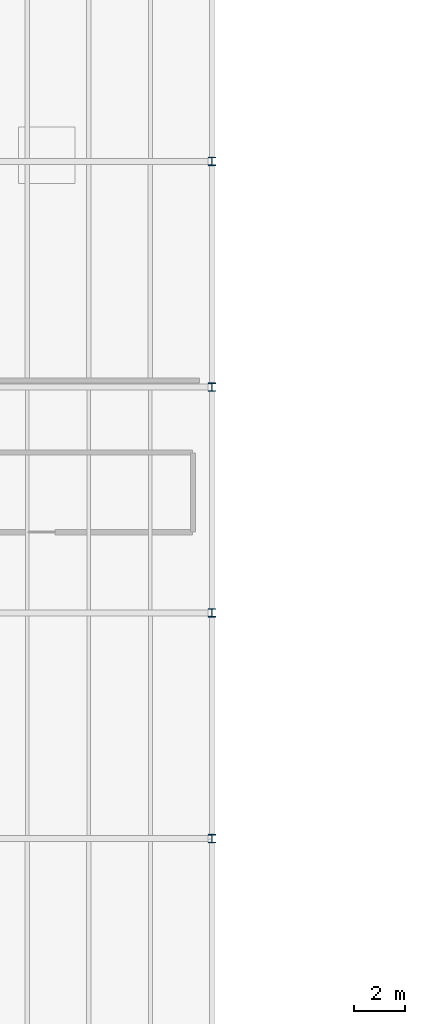
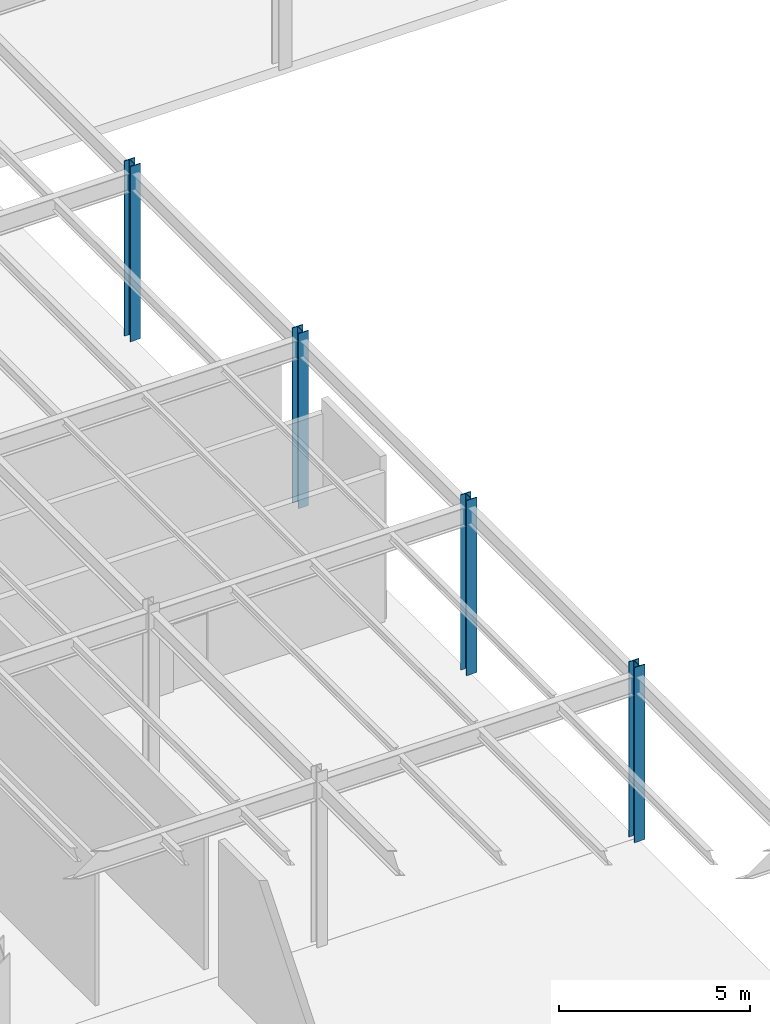
# One storey, part 4 of 70: 4 columns.
"""IFC4 building model written with IfcOpenShell, lengths in metres."""

from ifc_helpers import new_model, si_unit, direction, frame, origin, origin_2d, place, context, subcontext, project, spatial, i_section, extrude, material, material_profile, profile_set, type_object, element, save


model = new_model("IFC4")

# Units and contexts
model_context = context("Model", 3, precision=1e-05, world=origin(), true_north=direction((0.0, 1.0)))
body_context = subcontext(model_context, "Body", "Model", "MODEL_VIEW")
ifc_project = project(units=[si_unit("LENGTHUNIT", "METRE"), si_unit("AREAUNIT", "SQUARE_METRE"), si_unit("VOLUMEUNIT", "CUBIC_METRE"), si_unit("PLANEANGLEUNIT", "RADIAN"), si_unit("MASSUNIT", "GRAM", prefix="KILO")], contexts=[model_context])

# Site, building, storey
site_placement = place(None, origin())
site = spatial("IfcSite", under=ifc_project, at=site_placement, CompositionType="ELEMENT")
building_placement = place(site_placement, origin())
building = spatial("IfcBuilding", under=site, at=building_placement, Name="Sarnbrook Museum", CompositionType="ELEMENT")
storey_placement = place(building_placement, origin())
storey = spatial("IfcBuildingStorey", under=building, at=storey_placement, Name="L00", CompositionType="ELEMENT", Elevation=0.0)

# Columns
ifc_material = material(Name="Structural Steel Grade 300PLUS (AS/NZS 3679.1, fy = 280 MPa for 17 < t <= 40 mm, 300 MPa for t <= 17 mm)", Category="steel")
ifc_material_profile = material_profile(ifc_material, i_section(OverallWidth=0.31103515625, OverallDepth=0.326904296875, WebThickness=0.015625, FlangeThickness=0.02490234375, FilletRadius=0.0166015625, at=origin_2d()), Name="310UC158")
ifc_profile_set = profile_set([ifc_material_profile], Name="Structural Steel Grade 300PLUS (AS/NZS 3679.1, fy = 280 MPa for 17 < t <= 40 mm, 300 MPa for t <= 17 mm)")
column_type = type_object("IfcColumnType", Name="COL-UC310H", PredefinedType="COLUMN", material=ifc_profile_set)
for number, where, z_axis, x_axis, name in (
    (1, (42.39990234375, 39.199951171875, 0.0), (0.0, 0.0, 1.0), (1.0, 0.0, 0.0), "Column 5-E L00"),
    (2, (42.39990234375, 48.0, 0.0), (0.0, 0.0, 1.0), (1.0, 0.0, 0.0), "Column 5-F L00"),
    (3, (42.39990234375, 56.800048828125, 0.0), (0.0, 0.0, 1.0), (1.0, 0.0, 0.0), "Column 5-G L00"),
    (4, (42.39990234375, 65.60009765625, 0.0), (0.0, 0.0, 1.0), (1.0, 0.0, 0.0), "Column 5-H L00"),
):
    element("IfcColumn", number, at=place(storey_placement, frame(where, z_axis=z_axis, x_axis=x_axis)), inside=storey, type_object=column_type, Name=name, PredefinedType="COLUMN", context=body_context, shape_type="SweptSolid", body=[
        extrude(i_section(OverallWidth=0.31103515625, OverallDepth=0.326904296875, WebThickness=0.015625, FlangeThickness=0.02490234375, FilletRadius=0.0166015625, at=origin_2d()), origin(), (0.0, 0.0, 1.0), 5.60009765625),
    ])

save(model, "model.ifc")
